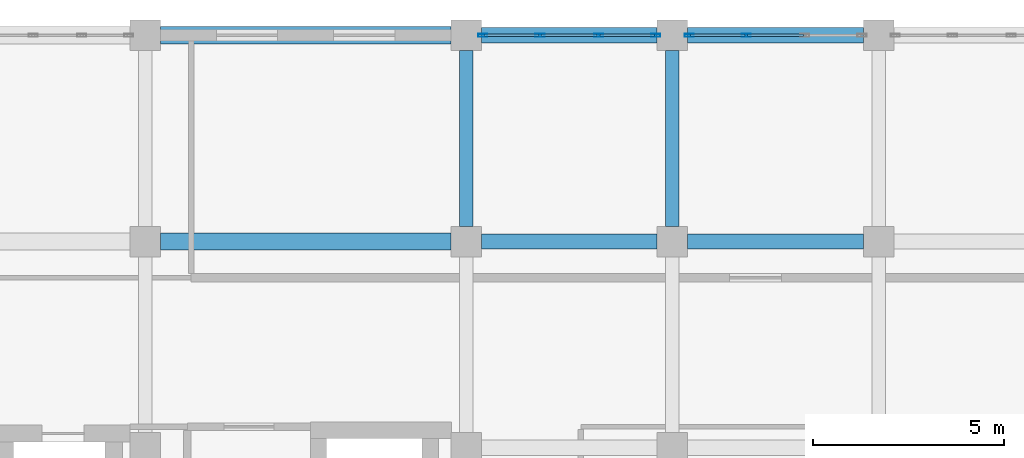
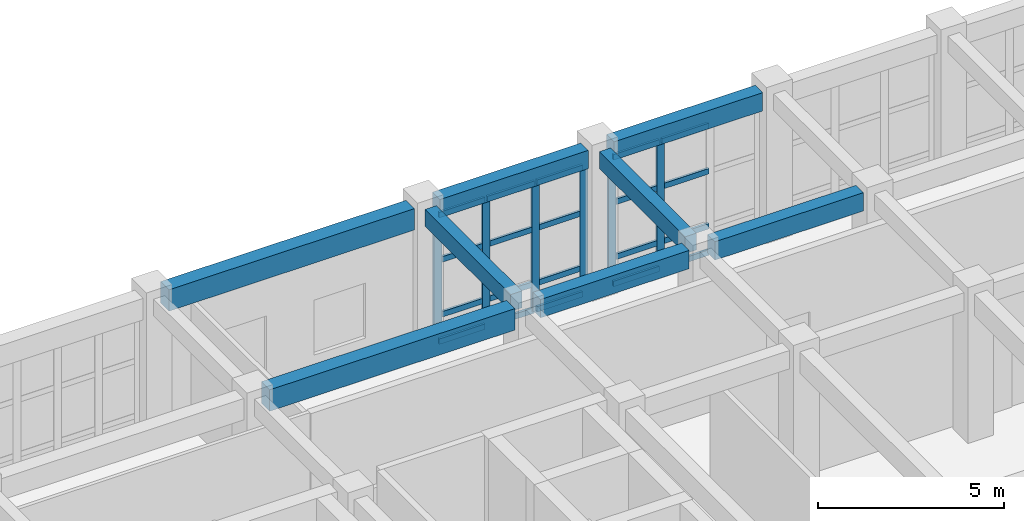
# One storey, part 52 of 93: 26 members, 8 beams, 2 elements without a shape of their own.
"""IFC4 building model written with IfcOpenShell, lengths in metres."""

from ifc_helpers import new_model, si_unit, direction, frame, origin, origin_2d, place, context, subcontext, project, spatial, rectangle, hollow_rectangle, extrude, material, layer, layer_set, material_profile, profile_set, type_object, element, aggregate, save


model = new_model("IFC4")

# Units and contexts
model_context = context("Model", 3, precision=1e-05, world=origin(), true_north=direction((0.0, 1.0)))
body_context = subcontext(model_context, "Body", "Model", "MODEL_VIEW")
ifc_project = project(units=[si_unit("LENGTHUNIT", "METRE"), si_unit("AREAUNIT", "SQUARE_METRE"), si_unit("VOLUMEUNIT", "CUBIC_METRE"), si_unit("PLANEANGLEUNIT", "RADIAN"), si_unit("MASSUNIT", "GRAM", prefix="KILO")], contexts=[model_context])

# Site, building, storey
site_placement = place(None, origin())
site = spatial("IfcSite", under=ifc_project, at=site_placement, CompositionType="ELEMENT")
building_placement = place(site_placement, origin())
building = spatial("IfcBuilding", under=site, at=building_placement, Name="Krzemoval Escarpment Law Courts", CompositionType="ELEMENT")
storey_placement = place(building_placement, frame((0.0, 0.0, 10.199951171875)))
storey = spatial("IfcBuildingStorey", under=building, at=storey_placement, Name="L02", CompositionType="ELEMENT", Elevation=10.199951171875)

# Beams
ifc_material_1 = material(Name="Concrete C40/50", Category="concrete")
ifc_material_profile_1 = material_profile(ifc_material_1, rectangle(XDim=0.35009765625, YDim=0.550048828125, at=origin_2d()), Name="RCB 350x550")
ifc_profile_set_1 = profile_set([ifc_material_profile_1], Name="Concrete C40/50")
beam_type_1 = type_object("IfcBeamType", Name="BM-RC-350x550", PredefinedType="BEAM", material=ifc_profile_set_1)
for number, where, z_axis, x_axis, name in (
    (1, (151.199951171875, 113.800048828125, 4.545166015625), (0.0, 1.0, 0.0), (-1.0, 0.0, 0.0), "Beam FG-L02-1994"),
    (2, (156.60009765625, 113.800048828125, 4.545166015625), (0.0, 1.0, 0.0), (-1.0, 0.0, 0.0), "Beam FG-L02-1998"),
):
    element("IfcBeam", number, at=place(storey_placement, frame(where, z_axis=z_axis, x_axis=x_axis)), inside=storey, type_object=beam_type_1, Name=name, PredefinedType="BEAM", context=body_context, shape_type="SweptSolid", body=[
        extrude(rectangle(XDim=0.35009765625, YDim=0.550048828125, at=origin_2d()), origin(), (0.0, 0.0, 1.0), 4.599853515625),
    ])
ifc_material_2 = material(Name="Concrete C40/50", Category="concrete")
ifc_material_profile_2 = material_profile(ifc_material_2, rectangle(XDim=0.39990234375, YDim=0.60009765625, at=origin_2d()), Name="RCB 400x600")
ifc_profile_set_2 = profile_set([ifc_material_profile_2], Name="Concrete C40/50")
beam_type_2 = type_object("IfcBeamType", Name="BM-RC-400x600", PredefinedType="BEAM", material=ifc_profile_set_2)
beam_1_placement = place(storey_placement, frame((151.60009765625, 113.39990234375, 4.52001953125), z_axis=(1.0, 0.0, 0.0), x_axis=(0.0, 1.0, 0.0)))
element("IfcBeam", 3, at=beam_1_placement, inside=storey, type_object=beam_type_2, Name="Beam FG-L02-1842", PredefinedType="BEAM", context=body_context, shape_type="SweptSolid", body=[
    extrude(rectangle(XDim=0.39990234375, YDim=0.60009765625, at=origin_2d()), origin(), (0.0, 0.0, 1.0), 4.599853515625),
])
beam_2_placement = place(storey_placement, frame((157.0, 113.39990234375, 4.52001953125), z_axis=(1.0, 0.0, 0.0), x_axis=(0.0, 1.0, 0.0)))
element("IfcBeam", 4, at=beam_2_placement, inside=storey, type_object=beam_type_2, Name="Beam FG-L02-1843", PredefinedType="BEAM", context=body_context, shape_type="SweptSolid", body=[
    extrude(rectangle(XDim=0.39990234375, YDim=0.60009765625, at=origin_2d()), origin(), (0.0, 0.0, 1.0), 4.60009765625),
])
beam_3_placement = place(storey_placement, frame((151.60009765625, 118.800048828125, 4.52001953125), z_axis=(1.0, 0.0, 0.0), x_axis=(0.0, 1.0, 0.0)))
element("IfcBeam", 5, at=beam_3_placement, inside=storey, type_object=beam_type_2, Name="Beam FG-L02-1849", PredefinedType="BEAM", context=body_context, shape_type="SweptSolid", body=[
    extrude(rectangle(XDim=0.39990234375, YDim=0.60009765625, at=origin_2d()), origin(), (0.0, 0.0, 1.0), 4.599853515625),
])
beam_4_placement = place(storey_placement, frame((157.0, 118.800048828125, 4.52001953125), z_axis=(1.0, 0.0, 0.0), x_axis=(0.0, 1.0, 0.0)))
element("IfcBeam", 6, at=beam_4_placement, inside=storey, type_object=beam_type_2, Name="Beam FG-L02-1850", PredefinedType="BEAM", context=body_context, shape_type="SweptSolid", body=[
    extrude(rectangle(XDim=0.39990234375, YDim=0.60009765625, at=origin_2d()), origin(), (0.0, 0.0, 1.0), 4.60009765625),
])
ifc_material_3 = material(Name="Concrete C40/50", Category="concrete")
ifc_material_profile_3 = material_profile(ifc_material_3, rectangle(XDim=0.449951171875, YDim=0.699951171875, at=origin_2d()), Name="RCB 450x700")
ifc_profile_set_3 = profile_set([ifc_material_profile_3], Name="Concrete C40/50")
beam_type_3 = type_object("IfcBeamType", Name="BM-RC-450x700", PredefinedType="BEAM", material=ifc_profile_set_3)
for number, where, z_axis, x_axis, name in (
    (7, (143.199951171875, 113.39990234375, 4.469970703125), (1.0, 0.0, 0.0), (0.0, 1.0, 0.0), "Beam FG-L02-1841"),
    (8, (143.199951171875, 118.800048828125, 4.469970703125), (1.0, 0.0, 0.0), (0.0, 1.0, 0.0), "Beam FG-L02-1848"),
):
    element("IfcBeam", number, at=place(storey_placement, frame(where, z_axis=z_axis, x_axis=x_axis)), inside=storey, type_object=beam_type_3, Name=name, PredefinedType="BEAM", context=body_context, shape_type="SweptSolid", body=[
        extrude(rectangle(XDim=0.449951171875, YDim=0.699951171875, at=origin_2d()), origin(), (0.0, 0.0, 1.0), 7.60009765625),
    ])

# Curtain wall, members
ifc_material_4 = material(Name="Aluminium 6063-T6", Category="aluminium")
ifc_layer = layer(ifc_material_4, 0.239990234375)
ifc_layer_set = layer_set([ifc_layer], Name="Aluminium 6063-T6")
curtain_wall_type = type_object("IfcCurtainWallType", Name="CW-CHMB-4800", PredefinedType="USERDEFINED", material=ifc_layer_set)
curtain_wall_1_placement = place(storey_placement, origin())
curtain_wall_1 = element("IfcCurtainWall", 9, at=curtain_wall_1_placement, inside=storey, type_object=curtain_wall_type, Name="Unitised Curtain Wall FCW-L02-088", ObjectType="UNITISED_CURTAIN_WALL", PredefinedType="USERDEFINED")
ifc_material_5 = material(Name="Aluminium 6063-T6", Category="aluminium")
ifc_material_profile_4 = material_profile(ifc_material_5, hollow_rectangle(XDim=0.074951171875, YDim=0.239990234375, WallThickness=0.0048828125, at=origin_2d()), Name="ALU M75x240")
ifc_profile_set_4 = profile_set([ifc_material_profile_4], Name="Aluminium 6063-T6")
member_type_1 = type_object("IfcMemberType", Name="CWM-75x240", PredefinedType="MULLION", material=ifc_profile_set_4)
member_1_placement = place(storey_placement, frame((151.637451171875, 118.800048828125, 0.0), z_axis=(0.0, 0.0, 1.0), x_axis=(0.0, 1.0, 0.0)))
member_1 = element("IfcMember", 10, at=member_1_placement, type_object=member_type_1, Name="FCW-L02-088 mullion 1", PredefinedType="MULLION", context=body_context, shape_type="SweptSolid", body=[
    extrude(hollow_rectangle(XDim=0.074951171875, YDim=0.239990234375, WallThickness=0.0048828125, at=origin_2d()), origin(), (0.0, 0.0, 1.0), 4.219970703125),
])
member_2_placement = place(storey_placement, frame((153.13330078125, 118.800048828125, 0.0), z_axis=(0.0, 0.0, 1.0), x_axis=(0.0, 1.0, 0.0)))
member_2 = element("IfcMember", 11, at=member_2_placement, type_object=member_type_1, Name="FCW-L02-088 mullion 2", PredefinedType="MULLION", context=body_context, shape_type="SweptSolid", body=[
    extrude(hollow_rectangle(XDim=0.074951171875, YDim=0.239990234375, WallThickness=0.0048828125, at=origin_2d()), origin(), (0.0, 0.0, 1.0), 4.219970703125),
])
member_3_placement = place(storey_placement, frame((154.666748046875, 118.800048828125, 0.0), z_axis=(0.0, 0.0, 1.0), x_axis=(0.0, 1.0, 0.0)))
member_3 = element("IfcMember", 12, at=member_3_placement, type_object=member_type_1, Name="FCW-L02-088 mullion 3", PredefinedType="MULLION", context=body_context, shape_type="SweptSolid", body=[
    extrude(hollow_rectangle(XDim=0.074951171875, YDim=0.239990234375, WallThickness=0.0048828125, at=origin_2d()), origin(), (0.0, 0.0, 1.0), 4.219970703125),
])
member_4_placement = place(storey_placement, frame((156.16259765625, 118.800048828125, 0.0), z_axis=(0.0, 0.0, 1.0), x_axis=(0.0, 1.0, 0.0)))
member_4 = element("IfcMember", 13, at=member_4_placement, type_object=member_type_1, Name="FCW-L02-088 mullion 4", PredefinedType="MULLION", context=body_context, shape_type="SweptSolid", body=[
    extrude(hollow_rectangle(XDim=0.074951171875, YDim=0.239990234375, WallThickness=0.0048828125, at=origin_2d()), origin(), (0.0, 0.0, 1.0), 4.219970703125),
])

curtain_wall_2_placement = place(storey_placement, origin())
curtain_wall_2 = element("IfcCurtainWall", 14, at=curtain_wall_2_placement, inside=storey, type_object=curtain_wall_type, Name="Unitised Curtain Wall FCW-L02-089", ObjectType="UNITISED_CURTAIN_WALL", PredefinedType="USERDEFINED")
member_5_placement = place(storey_placement, frame((157.03759765625, 118.800048828125, 0.0), z_axis=(0.0, 0.0, 1.0), x_axis=(0.0, 1.0, 0.0)))
member_5 = element("IfcMember", 15, at=member_5_placement, type_object=member_type_1, Name="FCW-L02-089 mullion 1", PredefinedType="MULLION", context=body_context, shape_type="SweptSolid", body=[
    extrude(hollow_rectangle(XDim=0.074951171875, YDim=0.239990234375, WallThickness=0.0048828125, at=origin_2d()), origin(), (0.0, 0.0, 1.0), 4.219970703125),
])
member_6_placement = place(storey_placement, frame((158.533447265625, 118.800048828125, 0.0), z_axis=(0.0, 0.0, 1.0), x_axis=(0.0, 1.0, 0.0)))
member_6 = element("IfcMember", 16, at=member_6_placement, type_object=member_type_1, Name="FCW-L02-089 mullion 2", PredefinedType="MULLION", context=body_context, shape_type="SweptSolid", body=[
    extrude(hollow_rectangle(XDim=0.074951171875, YDim=0.239990234375, WallThickness=0.0048828125, at=origin_2d()), origin(), (0.0, 0.0, 1.0), 4.219970703125),
])

# Member
ifc_material_6 = material(Name="Aluminium 6063-T6", Category="aluminium")
ifc_material_profile_5 = material_profile(ifc_material_6, hollow_rectangle(XDim=0.074951171875, YDim=0.179931640625, WallThickness=0.0048828125, at=origin_2d()), Name="ALU T75x180")
ifc_profile_set_5 = profile_set([ifc_material_profile_5], Name="Aluminium 6063-T6")
member_type_2 = type_object("IfcMemberType", Name="CWT-75x180", PredefinedType="USERDEFINED", material=ifc_profile_set_5)
member_7_placement = place(storey_placement, frame((151.675048828125, 118.800048828125, 0.03759765625), z_axis=(1.0, 0.0, 0.0), x_axis=(0.0, 1.0, 0.0)))
member_7 = element("IfcMember", 17, at=member_7_placement, type_object=member_type_2, Name="FCW-L02-088 transom 1.1", ObjectType="TRANSOM", PredefinedType="USERDEFINED", context=body_context, shape_type="SweptSolid", body=[
    extrude(hollow_rectangle(XDim=0.074951171875, YDim=0.179931640625, WallThickness=0.0048828125, at=origin_2d()), origin(), (0.0, 0.0, 1.0), 1.4208984375),
])

member_8_placement = place(storey_placement, frame((151.675048828125, 118.800048828125, 0.900146484375), z_axis=(1.0, 0.0, 0.0), x_axis=(0.0, 1.0, 0.0)))
member_8 = element("IfcMember", 18, at=member_8_placement, type_object=member_type_2, Name="FCW-L02-088 transom 1.2", ObjectType="TRANSOM", PredefinedType="USERDEFINED", context=body_context, shape_type="SweptSolid", body=[
    extrude(hollow_rectangle(XDim=0.074951171875, YDim=0.179931640625, WallThickness=0.0048828125, at=origin_2d()), origin(), (0.0, 0.0, 1.0), 1.4208984375),
])

member_9_placement = place(storey_placement, frame((151.675048828125, 118.800048828125, 2.699951171875), z_axis=(1.0, 0.0, 0.0), x_axis=(0.0, 1.0, 0.0)))
member_9 = element("IfcMember", 19, at=member_9_placement, type_object=member_type_2, Name="FCW-L02-088 transom 1.3", ObjectType="TRANSOM", PredefinedType="USERDEFINED", context=body_context, shape_type="SweptSolid", body=[
    extrude(hollow_rectangle(XDim=0.074951171875, YDim=0.179931640625, WallThickness=0.0048828125, at=origin_2d()), origin(), (0.0, 0.0, 1.0), 1.4208984375),
])

member_10_placement = place(storey_placement, frame((151.675048828125, 118.800048828125, 4.1826171875), z_axis=(1.0, 0.0, 0.0), x_axis=(0.0, 1.0, 0.0)))
member_10 = element("IfcMember", 20, at=member_10_placement, type_object=member_type_2, Name="FCW-L02-088 transom 1.4", ObjectType="TRANSOM", PredefinedType="USERDEFINED", context=body_context, shape_type="SweptSolid", body=[
    extrude(hollow_rectangle(XDim=0.074951171875, YDim=0.179931640625, WallThickness=0.0048828125, at=origin_2d()), origin(), (0.0, 0.0, 1.0), 1.4208984375),
])

member_11_placement = place(storey_placement, frame((153.1708984375, 118.800048828125, 0.03759765625), z_axis=(1.0, 0.0, 0.0), x_axis=(0.0, 1.0, 0.0)))
member_11 = element("IfcMember", 21, at=member_11_placement, type_object=member_type_2, Name="FCW-L02-088 transom 2.1", ObjectType="TRANSOM", PredefinedType="USERDEFINED", context=body_context, shape_type="SweptSolid", body=[
    extrude(hollow_rectangle(XDim=0.074951171875, YDim=0.179931640625, WallThickness=0.0048828125, at=origin_2d()), origin(), (0.0, 0.0, 1.0), 1.458251953125),
])

member_12_placement = place(storey_placement, frame((153.1708984375, 118.800048828125, 0.900146484375), z_axis=(1.0, 0.0, 0.0), x_axis=(0.0, 1.0, 0.0)))
member_12 = element("IfcMember", 22, at=member_12_placement, type_object=member_type_2, Name="FCW-L02-088 transom 2.2", ObjectType="TRANSOM", PredefinedType="USERDEFINED", context=body_context, shape_type="SweptSolid", body=[
    extrude(hollow_rectangle(XDim=0.074951171875, YDim=0.179931640625, WallThickness=0.0048828125, at=origin_2d()), origin(), (0.0, 0.0, 1.0), 1.458251953125),
])

member_13_placement = place(storey_placement, frame((153.1708984375, 118.800048828125, 2.699951171875), z_axis=(1.0, 0.0, 0.0), x_axis=(0.0, 1.0, 0.0)))
member_13 = element("IfcMember", 23, at=member_13_placement, type_object=member_type_2, Name="FCW-L02-088 transom 2.3", ObjectType="TRANSOM", PredefinedType="USERDEFINED", context=body_context, shape_type="SweptSolid", body=[
    extrude(hollow_rectangle(XDim=0.074951171875, YDim=0.179931640625, WallThickness=0.0048828125, at=origin_2d()), origin(), (0.0, 0.0, 1.0), 1.458251953125),
])

member_14_placement = place(storey_placement, frame((153.1708984375, 118.800048828125, 4.1826171875), z_axis=(1.0, 0.0, 0.0), x_axis=(0.0, 1.0, 0.0)))
member_14 = element("IfcMember", 24, at=member_14_placement, type_object=member_type_2, Name="FCW-L02-088 transom 2.4", ObjectType="TRANSOM", PredefinedType="USERDEFINED", context=body_context, shape_type="SweptSolid", body=[
    extrude(hollow_rectangle(XDim=0.074951171875, YDim=0.179931640625, WallThickness=0.0048828125, at=origin_2d()), origin(), (0.0, 0.0, 1.0), 1.458251953125),
])

member_15_placement = place(storey_placement, frame((154.7041015625, 118.800048828125, 0.03759765625), z_axis=(1.0, 0.0, 0.0), x_axis=(0.0, 1.0, 0.0)))
member_15 = element("IfcMember", 25, at=member_15_placement, type_object=member_type_2, Name="FCW-L02-088 transom 3.1", ObjectType="TRANSOM", PredefinedType="USERDEFINED", context=body_context, shape_type="SweptSolid", body=[
    extrude(hollow_rectangle(XDim=0.074951171875, YDim=0.179931640625, WallThickness=0.0048828125, at=origin_2d()), origin(), (0.0, 0.0, 1.0), 1.4208984375),
])

member_16_placement = place(storey_placement, frame((154.7041015625, 118.800048828125, 0.900146484375), z_axis=(1.0, 0.0, 0.0), x_axis=(0.0, 1.0, 0.0)))
member_16 = element("IfcMember", 26, at=member_16_placement, type_object=member_type_2, Name="FCW-L02-088 transom 3.2", ObjectType="TRANSOM", PredefinedType="USERDEFINED", context=body_context, shape_type="SweptSolid", body=[
    extrude(hollow_rectangle(XDim=0.074951171875, YDim=0.179931640625, WallThickness=0.0048828125, at=origin_2d()), origin(), (0.0, 0.0, 1.0), 1.4208984375),
])

member_17_placement = place(storey_placement, frame((154.7041015625, 118.800048828125, 2.699951171875), z_axis=(1.0, 0.0, 0.0), x_axis=(0.0, 1.0, 0.0)))
member_17 = element("IfcMember", 27, at=member_17_placement, type_object=member_type_2, Name="FCW-L02-088 transom 3.3", ObjectType="TRANSOM", PredefinedType="USERDEFINED", context=body_context, shape_type="SweptSolid", body=[
    extrude(hollow_rectangle(XDim=0.074951171875, YDim=0.179931640625, WallThickness=0.0048828125, at=origin_2d()), origin(), (0.0, 0.0, 1.0), 1.4208984375),
])

member_18_placement = place(storey_placement, frame((154.7041015625, 118.800048828125, 4.1826171875), z_axis=(1.0, 0.0, 0.0), x_axis=(0.0, 1.0, 0.0)))
member_18 = element("IfcMember", 28, at=member_18_placement, type_object=member_type_2, Name="FCW-L02-088 transom 3.4", ObjectType="TRANSOM", PredefinedType="USERDEFINED", context=body_context, shape_type="SweptSolid", body=[
    extrude(hollow_rectangle(XDim=0.074951171875, YDim=0.179931640625, WallThickness=0.0048828125, at=origin_2d()), origin(), (0.0, 0.0, 1.0), 1.4208984375),
])

aggregate(curtain_wall_1, [member_1, member_2, member_3, member_4, member_7, member_8, member_9, member_10, member_11, member_12, member_13, member_14, member_15, member_16, member_17, member_18])

member_19_placement = place(storey_placement, frame((157.074951171875, 118.800048828125, 0.03759765625), z_axis=(1.0, 0.0, 0.0), x_axis=(0.0, 1.0, 0.0)))
member_19 = element("IfcMember", 29, at=member_19_placement, type_object=member_type_2, Name="FCW-L02-089 transom 1.1", ObjectType="TRANSOM", PredefinedType="USERDEFINED", context=body_context, shape_type="SweptSolid", body=[
    extrude(hollow_rectangle(XDim=0.074951171875, YDim=0.179931640625, WallThickness=0.0048828125, at=origin_2d()), origin(), (0.0, 0.0, 1.0), 1.4208984375),
])

member_20_placement = place(storey_placement, frame((157.074951171875, 118.800048828125, 0.900146484375), z_axis=(1.0, 0.0, 0.0), x_axis=(0.0, 1.0, 0.0)))
member_20 = element("IfcMember", 30, at=member_20_placement, type_object=member_type_2, Name="FCW-L02-089 transom 1.2", ObjectType="TRANSOM", PredefinedType="USERDEFINED", context=body_context, shape_type="SweptSolid", body=[
    extrude(hollow_rectangle(XDim=0.074951171875, YDim=0.179931640625, WallThickness=0.0048828125, at=origin_2d()), origin(), (0.0, 0.0, 1.0), 1.4208984375),
])

member_21_placement = place(storey_placement, frame((157.074951171875, 118.800048828125, 2.699951171875), z_axis=(1.0, 0.0, 0.0), x_axis=(0.0, 1.0, 0.0)))
member_21 = element("IfcMember", 31, at=member_21_placement, type_object=member_type_2, Name="FCW-L02-089 transom 1.3", ObjectType="TRANSOM", PredefinedType="USERDEFINED", context=body_context, shape_type="SweptSolid", body=[
    extrude(hollow_rectangle(XDim=0.074951171875, YDim=0.179931640625, WallThickness=0.0048828125, at=origin_2d()), origin(), (0.0, 0.0, 1.0), 1.4208984375),
])

member_22_placement = place(storey_placement, frame((157.074951171875, 118.800048828125, 4.1826171875), z_axis=(1.0, 0.0, 0.0), x_axis=(0.0, 1.0, 0.0)))
member_22 = element("IfcMember", 32, at=member_22_placement, type_object=member_type_2, Name="FCW-L02-089 transom 1.4", ObjectType="TRANSOM", PredefinedType="USERDEFINED", context=body_context, shape_type="SweptSolid", body=[
    extrude(hollow_rectangle(XDim=0.074951171875, YDim=0.179931640625, WallThickness=0.0048828125, at=origin_2d()), origin(), (0.0, 0.0, 1.0), 1.4208984375),
])

member_23_placement = place(storey_placement, frame((158.57080078125, 118.800048828125, 0.03759765625), z_axis=(1.0, 0.0, 0.0), x_axis=(0.0, 1.0, 0.0)))
member_23 = element("IfcMember", 33, at=member_23_placement, type_object=member_type_2, Name="FCW-L02-089 transom 2.1", ObjectType="TRANSOM", PredefinedType="USERDEFINED", context=body_context, shape_type="SweptSolid", body=[
    extrude(hollow_rectangle(XDim=0.074951171875, YDim=0.179931640625, WallThickness=0.0048828125, at=origin_2d()), origin(), (0.0, 0.0, 1.0), 1.458251953125),
])

member_24_placement = place(storey_placement, frame((158.57080078125, 118.800048828125, 0.900146484375), z_axis=(1.0, 0.0, 0.0), x_axis=(0.0, 1.0, 0.0)))
member_24 = element("IfcMember", 34, at=member_24_placement, type_object=member_type_2, Name="FCW-L02-089 transom 2.2", ObjectType="TRANSOM", PredefinedType="USERDEFINED", context=body_context, shape_type="SweptSolid", body=[
    extrude(hollow_rectangle(XDim=0.074951171875, YDim=0.179931640625, WallThickness=0.0048828125, at=origin_2d()), origin(), (0.0, 0.0, 1.0), 1.458251953125),
])

member_25_placement = place(storey_placement, frame((158.57080078125, 118.800048828125, 2.699951171875), z_axis=(1.0, 0.0, 0.0), x_axis=(0.0, 1.0, 0.0)))
member_25 = element("IfcMember", 35, at=member_25_placement, type_object=member_type_2, Name="FCW-L02-089 transom 2.3", ObjectType="TRANSOM", PredefinedType="USERDEFINED", context=body_context, shape_type="SweptSolid", body=[
    extrude(hollow_rectangle(XDim=0.074951171875, YDim=0.179931640625, WallThickness=0.0048828125, at=origin_2d()), origin(), (0.0, 0.0, 1.0), 1.458251953125),
])

member_26_placement = place(storey_placement, frame((158.57080078125, 118.800048828125, 4.1826171875), z_axis=(1.0, 0.0, 0.0), x_axis=(0.0, 1.0, 0.0)))
member_26 = element("IfcMember", 36, at=member_26_placement, type_object=member_type_2, Name="FCW-L02-089 transom 2.4", ObjectType="TRANSOM", PredefinedType="USERDEFINED", context=body_context, shape_type="SweptSolid", body=[
    extrude(hollow_rectangle(XDim=0.074951171875, YDim=0.179931640625, WallThickness=0.0048828125, at=origin_2d()), origin(), (0.0, 0.0, 1.0), 1.458251953125),
])

aggregate(curtain_wall_2, [member_5, member_6, member_19, member_20, member_21, member_22, member_23, member_24, member_25, member_26])

save(model, "model.ifc")
